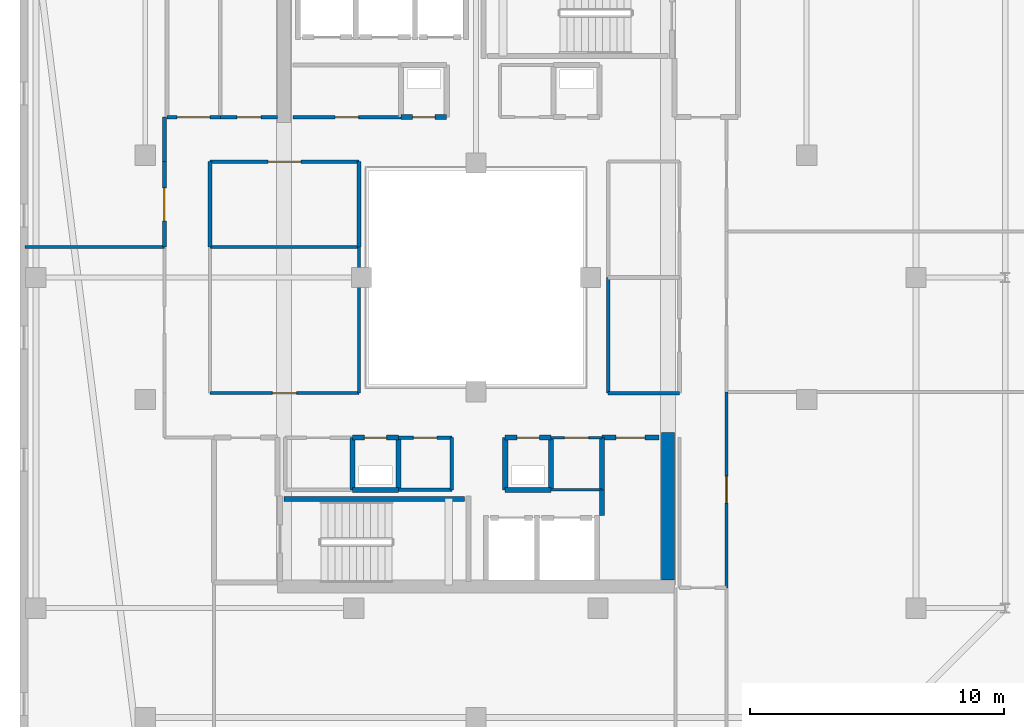
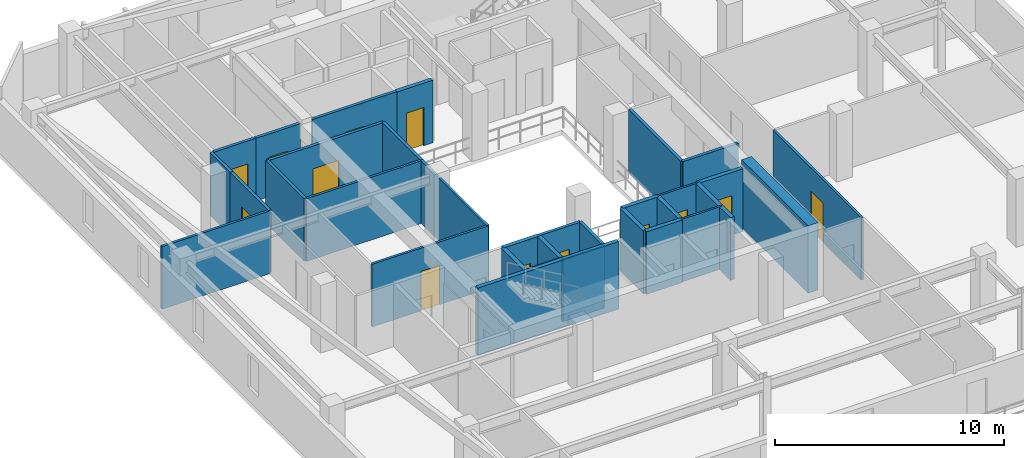
# One storey, part 22 of 35: 34 walls, 13 doors, 13 openings.
"""IFC4 building model written with IfcOpenShell, lengths in metres."""

from ifc_helpers import new_model, si_unit, direction, frame, frame_2d, origin, place, context, subcontext, project, spatial, rectangle, extrude, material, layer, layer_set, type_object, element, fill, save


model = new_model("IFC4")

# Units and contexts
model_context = context("Model", 3, precision=1e-05, world=origin(), true_north=direction((0.0, 1.0)))
body_context = subcontext(model_context, "Body", "Model", "MODEL_VIEW")
ifc_project = project(units=[si_unit("LENGTHUNIT", "METRE"), si_unit("AREAUNIT", "SQUARE_METRE"), si_unit("VOLUMEUNIT", "CUBIC_METRE"), si_unit("PLANEANGLEUNIT", "RADIAN"), si_unit("MASSUNIT", "GRAM", prefix="KILO")], contexts=[model_context])

# Site, building, storey
site_placement = place(None, origin())
site = spatial("IfcSite", under=ifc_project, at=site_placement, CompositionType="ELEMENT")
building_placement = place(site_placement, origin())
building = spatial("IfcBuilding", under=site, at=building_placement, Name="Thornwick Lancets Civic Towers", CompositionType="ELEMENT")
storey_placement = place(building_placement, frame((0.0, 0.0, 265.5)))
storey = spatial("IfcBuildingStorey", under=building, at=storey_placement, Name="L71", CompositionType="ELEMENT", Elevation=265.5)

# Walls
ifc_material_1 = material(Name="Concrete blockwork C40/50", Category="masonry")
ifc_layer_1 = layer(ifc_material_1, 0.199951171875, Name="Concrete blockwork C40/50")
ifc_layer_set_1 = layer_set([ifc_layer_1], Name="Concrete blockwork C40/50")
wall_type_1 = type_object("IfcWallType", Name="WALL_COMP_200", PredefinedType="STANDARD", material=ifc_layer_set_1)
wall_1_placement = place(storey_placement, frame((26.64990234375, 18.64990234375, 0.0), z_axis=(0.0, 0.0, 1.0), x_axis=(1.0, 0.0, 0.0)))
element("IfcWall", 1, at=wall_1_placement, inside=storey, type_object=wall_type_1, Name="L71 Partition L71-A-DUCT1 E1", PredefinedType="STANDARD", context=body_context, shape_type="SweptSolid", body=[
    extrude(rectangle(XDim=1.800048828125, YDim=0.199951171875, at=frame_2d((0.89990234375, 0.0))), origin(), (0.0, 0.0, 1.0), 3.340087890625),
])
wall_2_placement = place(storey_placement, frame((28.449951171875, 18.64990234375, 0.0), z_axis=(0.0, 0.0, 1.0), x_axis=(0.0, 1.0, 0.0)))
element("IfcWall", 2, at=wall_2_placement, inside=storey, type_object=wall_type_1, Name="L71 Partition L71-A-DUCT1 E2", PredefinedType="STANDARD", context=body_context, shape_type="SweptSolid", body=[
    extrude(rectangle(XDim=2.050048828125, YDim=0.199951171875, at=frame_2d((1.02490234375, 0.0))), origin(), (0.0, 0.0, 1.0), 3.340087890625),
])

# Wall, opening, door
wall_3_placement = place(storey_placement, frame((28.449951171875, 20.699951171875, 0.0), z_axis=(0.0, 0.0, 1.0), x_axis=(-1.0, 0.0, 0.0)))
wall_3 = element("IfcWall", 3, at=wall_3_placement, inside=storey, type_object=wall_type_1, Name="L71 Partition L71-A-DUCT1 E3", PredefinedType="STANDARD", context=body_context, shape_type="SweptSolid", body=[
    extrude(rectangle(XDim=1.800048828125, YDim=0.199951171875, at=frame_2d((0.89990234375, 0.0))), origin(), (0.0, 0.0, 1.0), 3.340087890625),
])
opening_1_placement = place(wall_3_placement, frame((0.4599609375, 0.0, 0.0)))
opening_1 = element("IfcOpeningElement", 4, at=opening_1_placement, cuts=wall_3, Name="Opening D-L71-3227", PredefinedType="OPENING", context=body_context, shape_type="SweptSolid", body=[
    extrude(rectangle(XDim=0.8798828125, YDim=2.0400390625, at=frame_2d((0.43994140625, 1.02001953125))), frame((0.0, 0.10986328125, 0.0), z_axis=(0.0, -1.0, 0.0), x_axis=(1.0, 0.0, 0.0)), (0.0, 0.0, 1.0), 0.219970703125),
])
ifc_material_2 = material(Name="Steel riser access doorset", Category="steel")
door_type_1 = type_object("IfcDoorType", Name="DOOR_RISER_850", OperationType="NOTDEFINED", PredefinedType="DOOR", material=ifc_material_2)
door_1_placement = place(opening_1_placement, origin())
door_1 = element("IfcDoor", 5, at=door_1_placement, inside=storey, type_object=door_type_1, Name="L71 South Service Duct 1 Door", OperationType="SINGLE_SWING_RIGHT", OverallHeight=2.0400390625, OverallWidth=0.8798828125, PredefinedType="DOOR", context=body_context, shape_type="SweptSolid", body=[
    extrude(rectangle(XDim=0.8798828125, YDim=2.0400390625, at=frame_2d((0.43994140625, 1.02001953125))), frame((0.0, 0.02490234375, 0.0), z_axis=(0.0, -1.0, 0.0), x_axis=(1.0, 0.0, 0.0)), (0.0, 0.0, 1.0), 0.050048828125),
])
fill(opening_1, door_1)

# Walls
wall_4_placement = place(storey_placement, frame((26.64990234375, 20.699951171875, 0.0), z_axis=(0.0, 0.0, 1.0), x_axis=(0.0, -1.0, 0.0)))
element("IfcWall", 6, at=wall_4_placement, inside=storey, type_object=wall_type_1, Name="L71 Partition L71-A-DUCT1 E4", PredefinedType="STANDARD", context=body_context, shape_type="SweptSolid", body=[
    extrude(rectangle(XDim=2.050048828125, YDim=0.199951171875, at=frame_2d((1.02490234375, 0.0))), origin(), (0.0, 0.0, 1.0), 3.340087890625),
])
wall_5_placement = place(storey_placement, frame((20.64990234375, 18.64990234375, 0.0), z_axis=(0.0, 0.0, 1.0), x_axis=(1.0, 0.0, 0.0)))
element("IfcWall", 7, at=wall_5_placement, inside=storey, type_object=wall_type_1, Name="L71 Partition L71-A-RISER1 E1", PredefinedType="STANDARD", context=body_context, shape_type="SweptSolid", body=[
    extrude(rectangle(XDim=1.800048828125, YDim=0.199951171875, at=frame_2d((0.89990234375, 0.0))), origin(), (0.0, 0.0, 1.0), 3.340087890625),
])
wall_6_placement = place(storey_placement, frame((22.449951171875, 18.64990234375, 0.0), z_axis=(0.0, 0.0, 1.0), x_axis=(0.0, 1.0, 0.0)))
element("IfcWall", 8, at=wall_6_placement, inside=storey, type_object=wall_type_1, Name="L71 Partition L71-A-RISER1 E2", PredefinedType="STANDARD", context=body_context, shape_type="SweptSolid", body=[
    extrude(rectangle(XDim=2.050048828125, YDim=0.199951171875, at=frame_2d((1.02490234375, 0.0))), origin(), (0.0, 0.0, 1.0), 3.340087890625),
])

# Wall, opening, door
wall_7_placement = place(storey_placement, frame((22.449951171875, 20.699951171875, 0.0), z_axis=(0.0, 0.0, 1.0), x_axis=(-1.0, 0.0, 0.0)))
wall_7 = element("IfcWall", 9, at=wall_7_placement, inside=storey, type_object=wall_type_1, Name="L71 Partition L71-A-RISER1 E3", PredefinedType="STANDARD", context=body_context, shape_type="SweptSolid", body=[
    extrude(rectangle(XDim=1.800048828125, YDim=0.199951171875, at=frame_2d((0.89990234375, 0.0))), origin(), (0.0, 0.0, 1.0), 3.340087890625),
])
opening_2_placement = place(wall_7_placement, frame((0.4599609375, 0.0, 0.0)))
opening_2 = element("IfcOpeningElement", 10, at=opening_2_placement, cuts=wall_7, Name="Opening D-L71-3228", PredefinedType="OPENING", context=body_context, shape_type="SweptSolid", body=[
    extrude(rectangle(XDim=0.8798828125, YDim=2.0400390625, at=frame_2d((0.43994140625, 1.02001953125))), frame((0.0, 0.10986328125, 0.0), z_axis=(0.0, -1.0, 0.0), x_axis=(1.0, 0.0, 0.0)), (0.0, 0.0, 1.0), 0.219970703125),
])
door_2_placement = place(opening_2_placement, origin())
door_2 = element("IfcDoor", 11, at=door_2_placement, inside=storey, type_object=door_type_1, Name="L71 South Electrical Riser 1 Door", OperationType="SINGLE_SWING_LEFT", OverallHeight=2.0400390625, OverallWidth=0.8798828125, PredefinedType="DOOR", context=body_context, shape_type="SweptSolid", body=[
    extrude(rectangle(XDim=0.8798828125, YDim=2.0400390625, at=frame_2d((0.43994140625, 1.02001953125))), frame((0.0, 0.02490234375, 0.0), z_axis=(0.0, -1.0, 0.0), x_axis=(1.0, 0.0, 0.0)), (0.0, 0.0, 1.0), 0.050048828125),
])
fill(opening_2, door_2)

# Wall
wall_8_placement = place(storey_placement, frame((20.64990234375, 20.699951171875, 0.0), z_axis=(0.0, 0.0, 1.0), x_axis=(0.0, -1.0, 0.0)))
element("IfcWall", 12, at=wall_8_placement, inside=storey, type_object=wall_type_1, Name="L71 Partition L71-A-RISER1 E4", PredefinedType="STANDARD", context=body_context, shape_type="SweptSolid", body=[
    extrude(rectangle(XDim=2.050048828125, YDim=0.199951171875, at=frame_2d((1.02490234375, 0.0))), origin(), (0.0, 0.0, 1.0), 3.340087890625),
])

# Wall, opening, door
wall_9_placement = place(storey_placement, frame((22.550048828125, 33.300048828125, 0.0), z_axis=(0.0, 0.0, 1.0), x_axis=(1.0, 0.0, 0.0)))
wall_9 = element("IfcWall", 13, at=wall_9_placement, inside=storey, type_object=wall_type_1, Name="L71 Partition L71-A-DUCT2 E1", PredefinedType="STANDARD", context=body_context, shape_type="SweptSolid", body=[
    extrude(rectangle(XDim=1.800048828125, YDim=0.199951171875, at=frame_2d((0.89990234375, 0.0))), origin(), (0.0, 0.0, 1.0), 3.340087890625),
])
opening_3_placement = place(wall_9_placement, frame((0.4599609375, 0.0, 0.0)))
opening_3 = element("IfcOpeningElement", 14, at=opening_3_placement, cuts=wall_9, Name="Opening D-L71-3229", PredefinedType="OPENING", context=body_context, shape_type="SweptSolid", body=[
    extrude(rectangle(XDim=0.8798828125, YDim=2.0400390625, at=frame_2d((0.43994140625, 1.02001953125))), frame((0.0, 0.10986328125, 0.0), z_axis=(0.0, -1.0, 0.0), x_axis=(1.0, 0.0, 0.0)), (0.0, 0.0, 1.0), 0.219970703125),
])
door_3_placement = place(opening_3_placement, origin())
door_3 = element("IfcDoor", 15, at=door_3_placement, inside=storey, type_object=door_type_1, Name="L71 North Service Duct 2 Door", OperationType="SINGLE_SWING_RIGHT", OverallHeight=2.0400390625, OverallWidth=0.8798828125, PredefinedType="DOOR", context=body_context, shape_type="SweptSolid", body=[
    extrude(rectangle(XDim=0.8798828125, YDim=2.0400390625, at=frame_2d((0.43994140625, 1.02001953125))), frame((0.0, 0.02490234375, 0.0), z_axis=(0.0, -1.0, 0.0), x_axis=(1.0, 0.0, 0.0)), (0.0, 0.0, 1.0), 0.050048828125),
])
fill(opening_3, door_3)

# Walls
wall_10_placement = place(storey_placement, frame((30.449951171875, 17.64794921875, 0.0), z_axis=(0.0, 0.0, 1.0), x_axis=(0.0, 1.0, 0.0)))
element("IfcWall", 16, at=wall_10_placement, inside=storey, type_object=wall_type_1, Name="L71 Partition L71-A-ITR2 E3", PredefinedType="STANDARD", context=body_context, shape_type="SweptSolid", body=[
    extrude(rectangle(XDim=1.001953125, YDim=0.199951171875, at=frame_2d((0.5009765625, 0.0))), origin(), (0.0, 0.0, 1.0), 3.340087890625),
])
wall_11_placement = place(storey_placement, frame((30.449951171875, 18.64990234375, 0.0), z_axis=(0.0, 0.0, 1.0), x_axis=(0.0, 1.0, 0.0)))
element("IfcWall", 17, at=wall_11_placement, inside=storey, type_object=wall_type_1, Name="L71 Partition L71-A-ITR2 E4", PredefinedType="STANDARD", context=body_context, shape_type="SweptSolid", body=[
    extrude(rectangle(XDim=2.050048828125, YDim=0.199951171875, at=frame_2d((1.02490234375, 0.0))), origin(), (0.0, 0.0, 1.0), 3.340087890625),
])

# Wall, opening, door
wall_12_placement = place(storey_placement, frame((30.449951171875, 20.699951171875, 0.0), z_axis=(0.0, 0.0, 1.0), x_axis=(1.0, 0.0, 0.0)))
wall_12 = element("IfcWall", 18, at=wall_12_placement, inside=storey, type_object=wall_type_1, Name="L71 Partition L71-A-ITR2 E5", PredefinedType="STANDARD", context=body_context, shape_type="SweptSolid", body=[
    extrude(rectangle(XDim=2.25, YDim=0.199951171875, at=frame_2d((1.125, 0.0))), origin(), (0.0, 0.0, 1.0), 3.340087890625),
])
opening_4_placement = place(wall_12_placement, frame((0.550048828125, 0.0, 0.0)))
opening_4 = element("IfcOpeningElement", 19, at=opening_4_placement, cuts=wall_12, Name="Opening D-L71-3234", PredefinedType="OPENING", context=body_context, shape_type="SweptSolid", body=[
    extrude(rectangle(XDim=1.14990234375, YDim=2.10009765625, at=frame_2d((0.574951171875, 1.050048828125))), frame((0.0, 0.10986328125, 0.0), z_axis=(0.0, -1.0, 0.0), x_axis=(1.0, 0.0, 0.0)), (0.0, 0.0, 1.0), 0.219970703125),
])
ifc_material_3 = material(Name="Glazed fire-resisting steel", Category="steel")
door_type_2 = type_object("IfcDoorType", Name="DOOR_LOBBY_FD60", OperationType="NOTDEFINED", PredefinedType="DOOR", material=ifc_material_3)
door_4_placement = place(opening_4_placement, origin())
door_4 = element("IfcDoor", 20, at=door_4_placement, inside=storey, type_object=door_type_2, Name="L71 Tower A Statutory Core Archive Door", OperationType="SINGLE_SWING_LEFT", OverallHeight=2.10009765625, OverallWidth=1.14990234375, PredefinedType="DOOR", context=body_context, shape_type="SweptSolid", body=[
    extrude(rectangle(XDim=1.14990234375, YDim=2.10009765625, at=frame_2d((0.574951171875, 1.050048828125))), frame((0.0, 0.02490234375, 0.0), z_axis=(0.0, -1.0, 0.0), x_axis=(1.0, 0.0, 0.0)), (0.0, 0.0, 1.0), 0.050048828125),
])
fill(opening_4, door_4)

# Walls
ifc_material_4 = material(Name="Concrete C50/60", Category="concrete")
ifc_layer_2 = layer(ifc_material_4, 0.5, Name="Concrete C50/60")
ifc_layer_set_2 = layer_set([ifc_layer_2], Name="Concrete C50/60")
wall_type_2 = type_object("IfcWallType", Name="WALL_CORE_500", PredefinedType="SHEAR", material=ifc_layer_set_2)
wall_13_placement = place(storey_placement, frame((33.050048828125, 15.10009765625, 0.0), z_axis=(0.0, 0.0, 1.0), x_axis=(0.0, 1.0, 0.0)))
element("IfcWall", 21, at=wall_13_placement, inside=storey, type_object=wall_type_2, Name="L71 Split Core A1 Shear Wall E", PredefinedType="SHEAR", context=body_context, shape_type="SweptSolid", body=[
    extrude(rectangle(XDim=5.7998046875, YDim=0.5, at=frame_2d((2.89990234375, 0.0))), origin(), (0.0, 0.0, 1.0), 3.60009765625),
])
ifc_material_5 = material(Name="Lightweight cellular office partition")
ifc_layer_3 = layer(ifc_material_5, 0.10009765625, Name="Lightweight cellular office partition")
ifc_layer_set_3 = layer_set([ifc_layer_3], Name="Lightweight cellular office partition")
wall_type_3 = type_object("IfcWallType", Name="WALL_PART_100", PredefinedType="PARTITIONING", material=ifc_layer_set_3)
wall_14_placement = place(storey_placement, frame((30.449951171875, 18.64990234375, 0.0), z_axis=(0.0, 0.0, 1.0), x_axis=(-1.0, 0.0, 0.0)))
element("IfcWall", 22, at=wall_14_placement, inside=storey, type_object=wall_type_3, Name="L71 Partition L71-A-CLN E2", PredefinedType="PARTITIONING", context=body_context, shape_type="SweptSolid", body=[
    extrude(rectangle(XDim=2.0, YDim=0.10009765625, at=frame_2d((1.0, 0.0))), origin(), (0.0, 0.0, 1.0), 3.340087890625),
])

# Wall, opening, door
wall_15_placement = place(storey_placement, frame((28.449951171875, 20.699951171875, 0.0), z_axis=(0.0, 0.0, 1.0), x_axis=(1.0, 0.0, 0.0)))
wall_15 = element("IfcWall", 23, at=wall_15_placement, inside=storey, type_object=wall_type_3, Name="L71 Partition L71-A-CLN E4", PredefinedType="PARTITIONING", context=body_context, shape_type="SweptSolid", body=[
    extrude(rectangle(XDim=2.0, YDim=0.10009765625, at=frame_2d((1.0, 0.0))), origin(), (0.0, 0.0, 1.0), 3.340087890625),
])
opening_5_placement = place(wall_15_placement, frame((0.52490234375, 0.0, 0.0)))
opening_5 = element("IfcOpeningElement", 24, at=opening_5_placement, cuts=wall_15, Name="Opening D-L71-3233", PredefinedType="OPENING", context=body_context, shape_type="SweptSolid", body=[
    extrude(rectangle(XDim=0.949951171875, YDim=2.10009765625, at=frame_2d((0.47509765625, 1.050048828125))), frame((0.0, 0.06005859375, 0.0), z_axis=(0.0, -1.0, 0.0), x_axis=(1.0, 0.0, 0.0)), (0.0, 0.0, 1.0), 0.1201171875),
])
ifc_material_6 = material(Name="European oak acoustic doorset")
door_type_3 = type_object("IfcDoorType", Name="DOOR_OFFICE_950", OperationType="NOTDEFINED", PredefinedType="DOOR", material=ifc_material_6)
door_5_placement = place(opening_5_placement, origin())
door_5 = element("IfcDoor", 25, at=door_5_placement, inside=storey, type_object=door_type_3, Name="L71 Tower A Cleaners Store Door", OperationType="SINGLE_SWING_RIGHT", OverallHeight=2.10009765625, OverallWidth=0.949951171875, PredefinedType="DOOR", context=body_context, shape_type="SweptSolid", body=[
    extrude(rectangle(XDim=0.949951171875, YDim=2.10009765625, at=frame_2d((0.47509765625, 1.050048828125))), frame((0.0, 0.02490234375, 0.0), z_axis=(0.0, -1.0, 0.0), x_axis=(1.0, 0.0, 0.0)), (0.0, 0.0, 1.0), 0.050048828125),
])
fill(opening_5, door_5)

# Walls
ifc_material_7 = material(Name="Acoustic gypsum board partition")
ifc_layer_4 = layer(ifc_material_7, 0.1201171875, Name="Acoustic gypsum board partition")
ifc_layer_set_4 = layer_set([ifc_layer_4], Name="Acoustic gypsum board partition")
wall_type_4 = type_object("IfcWallType", Name="WALL_PART_120", PredefinedType="PARTITIONING", material=ifc_layer_set_4)
wall_16_placement = place(storey_placement, frame((7.780029296875, 28.199951171875, 0.0), z_axis=(0.0, 0.0, 1.0), x_axis=(1.0, 0.0, 0.0)))
element("IfcWall", 26, at=wall_16_placement, inside=storey, type_object=wall_type_4, Name="L71 Partition L71-A-W1 E9", PredefinedType="PARTITIONING", context=body_context, shape_type="SweptSolid", body=[
    extrude(rectangle(XDim=5.469970703125, YDim=0.1201171875, at=frame_2d((2.73486328125, 0.0))), origin(), (0.0, 0.0, 1.0), 3.340087890625),
])
wall_17_placement = place(storey_placement, frame((15.050048828125, 28.199951171875, 0.0), z_axis=(0.0, 0.0, 1.0), x_axis=(1.0, 0.0, 0.0)))
element("IfcWall", 27, at=wall_17_placement, inside=storey, type_object=wall_type_4, Name="L71 Partition L71-A-W3 E2", PredefinedType="PARTITIONING", context=body_context, shape_type="SweptSolid", body=[
    extrude(rectangle(XDim=5.849853515625, YDim=0.1201171875, at=frame_2d((2.9248046875, 0.0))), origin(), (0.0, 0.0, 1.0), 3.340087890625),
])
wall_18_placement = place(storey_placement, frame((20.89990234375, 28.199951171875, 0.0), z_axis=(0.0, 0.0, 1.0), x_axis=(0.0, -1.0, 0.0)))
element("IfcWall", 28, at=wall_18_placement, inside=storey, type_object=wall_type_4, Name="L71 Partition L71-A-W3 E3", PredefinedType="PARTITIONING", context=body_context, shape_type="SweptSolid", body=[
    extrude(rectangle(XDim=5.75, YDim=0.1201171875, at=frame_2d((2.875, 0.0))), origin(), (0.0, 0.0, 1.0), 3.340087890625),
])

# Wall, opening, door
wall_19_placement = place(storey_placement, frame((20.89990234375, 22.449951171875, 0.0), z_axis=(0.0, 0.0, 1.0), x_axis=(-1.0, 0.0, 0.0)))
wall_19 = element("IfcWall", 29, at=wall_19_placement, inside=storey, type_object=wall_type_4, Name="L71 Partition L71-A-W3 E4", PredefinedType="PARTITIONING", context=body_context, shape_type="SweptSolid", body=[
    extrude(rectangle(XDim=5.849853515625, YDim=0.1201171875, at=frame_2d((2.9248046875, 0.0))), origin(), (0.0, 0.0, 1.0), 3.340087890625),
])
opening_6_placement = place(wall_19_placement, frame((2.449951171875, 0.0, 0.0)))
opening_6 = element("IfcOpeningElement", 30, at=opening_6_placement, cuts=wall_19, Name="Opening D-L71-3254", PredefinedType="OPENING", context=body_context, shape_type="SweptSolid", body=[
    extrude(rectangle(XDim=0.949951171875, YDim=2.10009765625, at=frame_2d((0.47509765625, 1.050048828125))), frame((0.0, 0.070068359375, 0.0), z_axis=(0.0, -1.0, 0.0), x_axis=(1.0, 0.0, 0.0)), (0.0, 0.0, 1.0), 0.14013671875),
])
door_6_placement = place(opening_6_placement, origin())
door_6 = element("IfcDoor", 31, at=door_6_placement, inside=storey, type_object=door_type_3, Name="L71 Tower A Staff Tea Pantry and Lounge Door", OperationType="SINGLE_SWING_LEFT", OverallHeight=2.10009765625, OverallWidth=0.949951171875, PredefinedType="DOOR", context=body_context, shape_type="SweptSolid", body=[
    extrude(rectangle(XDim=0.949951171875, YDim=2.10009765625, at=frame_2d((0.47509765625, 1.050048828125))), frame((0.0, 0.02490234375, 0.0), z_axis=(0.0, -1.0, 0.0), x_axis=(1.0, 0.0, 0.0)), (0.0, 0.0, 1.0), 0.050048828125),
])
fill(opening_6, door_6)

wall_20_placement = place(storey_placement, frame((35.35009765625, 14.800048828125, 0.0), z_axis=(0.0, 0.0, 1.0), x_axis=(0.0, 1.0, 0.0)))
wall_20 = element("IfcWall", 32, at=wall_20_placement, inside=storey, type_object=wall_type_4, Name="L71 Partition L71-A-E1 E3", PredefinedType="PARTITIONING", context=body_context, shape_type="SweptSolid", body=[
    extrude(rectangle(XDim=7.699951171875, YDim=0.1201171875, at=frame_2d((3.85009765625, 0.0))), origin(), (0.0, 0.0, 1.0), 3.340087890625),
])
opening_7_placement = place(wall_20_placement, frame((3.324951171875, 0.0, 0.0)))
opening_7 = element("IfcOpeningElement", 33, at=opening_7_placement, cuts=wall_20, Name="Opening D-L71-3256", PredefinedType="OPENING", context=body_context, shape_type="SweptSolid", body=[
    extrude(rectangle(XDim=1.050048828125, YDim=2.10009765625, at=frame_2d((0.52490234375, 1.050048828125))), frame((0.0, 0.070068359375, 0.0), z_axis=(0.0, -1.0, 0.0), x_axis=(1.0, 0.0, 0.0)), (0.0, 0.0, 1.0), 0.14013671875),
])
ifc_material_8 = material(Name="Glazed European oak executive doorset")
door_type_4 = type_object("IfcDoorType", Name="DOOR_OFFICE_1050", OperationType="NOTDEFINED", PredefinedType="DOOR", material=ifc_material_8)
door_7_placement = place(opening_7_placement, origin())
door_7 = element("IfcDoor", 34, at=door_7_placement, inside=storey, type_object=door_type_4, Name="L71 Tower A Secretariat Open Office E1 Door", OperationType="SINGLE_SWING_LEFT", OverallHeight=2.10009765625, OverallWidth=1.050048828125, PredefinedType="DOOR", context=body_context, shape_type="SweptSolid", body=[
    extrude(rectangle(XDim=1.050048828125, YDim=2.10009765625, at=frame_2d((0.52490234375, 1.050048828125))), frame((0.0, 0.02490234375, 0.0), z_axis=(0.0, -1.0, 0.0), x_axis=(1.0, 0.0, 0.0)), (0.0, 0.0, 1.0), 0.050048828125),
])
fill(opening_7, door_7)

# Walls
ifc_material_9 = material(Name="Twin-stud acoustic gypsum board")
ifc_layer_5 = layer(ifc_material_9, 0.14990234375, Name="Twin-stud acoustic gypsum board")
ifc_layer_set_5 = layer_set([ifc_layer_5], Name="Twin-stud acoustic gypsum board")
wall_type_5 = type_object("IfcWallType", Name="WALL_PART_150", PredefinedType="PARTITIONING", material=ifc_layer_set_5)
wall_21_placement = place(storey_placement, frame((24.550048828125, 20.699951171875, 0.0), z_axis=(0.0, 0.0, 1.0), x_axis=(0.0, -1.0, 0.0)))
element("IfcWall", 35, at=wall_21_placement, inside=storey, type_object=wall_type_5, Name="L71 Partition L71-A-AWC E1", PredefinedType="PARTITIONING", context=body_context, shape_type="SweptSolid", body=[
    extrude(rectangle(XDim=2.050048828125, YDim=0.14990234375, at=frame_2d((1.02490234375, 0.0))), origin(), (0.0, 0.0, 1.0), 3.340087890625),
])
wall_22_placement = place(storey_placement, frame((24.550048828125, 18.64990234375, 0.0), z_axis=(0.0, 0.0, 1.0), x_axis=(-1.0, 0.0, 0.0)))
element("IfcWall", 36, at=wall_22_placement, inside=storey, type_object=wall_type_5, Name="L71 Partition L71-A-AWC E2", PredefinedType="PARTITIONING", context=body_context, shape_type="SweptSolid", body=[
    extrude(rectangle(XDim=2.10009765625, YDim=0.14990234375, at=frame_2d((1.050048828125, 0.0))), origin(), (0.0, 0.0, 1.0), 3.340087890625),
])

# Wall, opening, door
wall_23_placement = place(storey_placement, frame((22.449951171875, 20.699951171875, 0.0), z_axis=(0.0, 0.0, 1.0), x_axis=(1.0, 0.0, 0.0)))
wall_23 = element("IfcWall", 37, at=wall_23_placement, inside=storey, type_object=wall_type_5, Name="L71 Partition L71-A-AWC E4", PredefinedType="PARTITIONING", context=body_context, shape_type="SweptSolid", body=[
    extrude(rectangle(XDim=2.10009765625, YDim=0.14990234375, at=frame_2d((1.050048828125, 0.0))), origin(), (0.0, 0.0, 1.0), 3.340087890625),
])
opening_8_placement = place(wall_23_placement, frame((0.590087890625, 0.0, 0.0)))
opening_8 = element("IfcOpeningElement", 38, at=opening_8_placement, cuts=wall_23, Name="Opening D-L71-3232", PredefinedType="OPENING", context=body_context, shape_type="SweptSolid", body=[
    extrude(rectangle(XDim=0.919921875, YDim=2.080078125, at=frame_2d((0.4599609375, 1.0400390625))), frame((0.0, 0.0849609375, 0.0), z_axis=(0.0, -1.0, 0.0), x_axis=(1.0, 0.0, 0.0)), (0.0, 0.0, 1.0), 0.169921875),
])
ifc_material_10 = material(Name="Moisture-resistant oak doorset")
door_type_5 = type_object("IfcDoorType", Name="DOOR_WC_900", OperationType="NOTDEFINED", PredefinedType="DOOR", material=ifc_material_10)
door_8_placement = place(opening_8_placement, origin())
door_8 = element("IfcDoor", 39, at=door_8_placement, inside=storey, type_object=door_type_5, Name="L71 Tower A Accessible WC Door", OperationType="SINGLE_SWING_LEFT", OverallHeight=2.080078125, OverallWidth=0.919921875, PredefinedType="DOOR", context=body_context, shape_type="SweptSolid", body=[
    extrude(rectangle(XDim=0.919921875, YDim=2.080078125, at=frame_2d((0.4599609375, 1.0400390625))), frame((0.0, 0.02490234375, 0.0), z_axis=(0.0, -1.0, 0.0), x_axis=(1.0, 0.0, 0.0)), (0.0, 0.0, 1.0), 0.050048828125),
])
fill(opening_8, door_8)

wall_24_placement = place(storey_placement, frame((22.550048828125, 33.300048828125, 0.0), z_axis=(0.0, 0.0, 1.0), x_axis=(-1.0, 0.0, 0.0)))
wall_24 = element("IfcWall", 40, at=wall_24_placement, inside=storey, type_object=wall_type_5, Name="L71 Partition L71-A-FWC E4", PredefinedType="PARTITIONING", context=body_context, shape_type="SweptSolid", body=[
    extrude(rectangle(XDim=4.25, YDim=0.14990234375, at=frame_2d((2.125, 0.0))), origin(), (0.0, 0.0, 1.0), 3.340087890625),
])
opening_9_placement = place(wall_24_placement, frame((1.6650390625, 0.0, 0.0)))
opening_9 = element("IfcOpeningElement", 41, at=opening_9_placement, cuts=wall_24, Name="Opening D-L71-3235", PredefinedType="OPENING", context=body_context, shape_type="SweptSolid", body=[
    extrude(rectangle(XDim=0.919921875, YDim=2.080078125, at=frame_2d((0.4599609375, 1.0400390625))), frame((0.0, 0.0849609375, 0.0), z_axis=(0.0, -1.0, 0.0), x_axis=(1.0, 0.0, 0.0)), (0.0, 0.0, 1.0), 0.169921875),
])
door_9_placement = place(opening_9_placement, origin())
door_9 = element("IfcDoor", 42, at=door_9_placement, inside=storey, type_object=door_type_5, Name="L71 Tower A Female WC Door", OperationType="SINGLE_SWING_RIGHT", OverallHeight=2.080078125, OverallWidth=0.919921875, PredefinedType="DOOR", context=body_context, shape_type="SweptSolid", body=[
    extrude(rectangle(XDim=0.919921875, YDim=2.080078125, at=frame_2d((0.4599609375, 1.0400390625))), frame((0.0, 0.02490234375, 0.0), z_axis=(0.0, -1.0, 0.0), x_axis=(1.0, 0.0, 0.0)), (0.0, 0.0, 1.0), 0.050048828125),
])
fill(opening_9, door_9)

wall_25_placement = place(storey_placement, frame((15.449951171875, 33.300048828125, 0.0), z_axis=(0.0, 0.0, 1.0), x_axis=(-1.0, 0.0, 0.0)))
wall_25 = element("IfcWall", 43, at=wall_25_placement, inside=storey, type_object=wall_type_5, Name="L71 Partition L71-A-RECLAIM-M1 E4", PredefinedType="PARTITIONING", context=body_context, shape_type="SweptSolid", body=[
    extrude(rectangle(XDim=2.099853515625, YDim=0.14990234375, at=frame_2d((1.0498046875, 0.0))), origin(), (0.0, 0.0, 1.0), 3.340087890625),
])
opening_10_placement = place(wall_25_placement, frame((0.39990234375, 0.0, 0.0)))
opening_10 = element("IfcOpeningElement", 44, at=opening_10_placement, cuts=wall_25, Name="Opening D-L71-3250", PredefinedType="OPENING", context=body_context, shape_type="SweptSolid", body=[
    extrude(rectangle(XDim=1.300048828125, YDim=2.1201171875, at=frame_2d((0.64990234375, 1.06005859375))), frame((0.0, 0.0849609375, 0.0), z_axis=(0.0, -1.0, 0.0), x_axis=(1.0, 0.0, 0.0)), (0.0, 0.0, 1.0), 0.169921875),
])
ifc_material_11 = material(Name="Acoustic oak leaf-and-a-half doorset")
door_type_6 = type_object("IfcDoorType", Name="DOOR_MEET_1300", OperationType="DOUBLE_DOOR_SINGLE_SWING", PredefinedType="DOOR", material=ifc_material_11)
door_10_placement = place(opening_10_placement, origin())
door_10 = element("IfcDoor", 45, at=door_10_placement, inside=storey, type_object=door_type_6, Name="L71 Tower A Diplomatic Conference Room Door", OperationType="DOUBLE_DOOR_SINGLE_SWING", OverallHeight=2.1201171875, OverallWidth=1.300048828125, PredefinedType="DOOR", context=body_context, shape_type="SweptSolid", body=[
    extrude(rectangle(XDim=1.300048828125, YDim=2.1201171875, at=frame_2d((0.64990234375, 1.06005859375))), frame((0.0, 0.02490234375, 0.0), z_axis=(0.0, -1.0, 0.0), x_axis=(1.0, 0.0, 0.0)), (0.0, 0.0, 1.0), 0.050048828125),
])
fill(opening_10, door_10)

wall_26_placement = place(storey_placement, frame((17.699951171875, 33.300048828125, 0.0), z_axis=(0.0, 0.0, 1.0), x_axis=(-1.0, 0.0, 0.0)))
wall_26 = element("IfcWall", 46, at=wall_26_placement, inside=storey, type_object=wall_type_5, Name="L71 Partition L71-A-RECLAIM-M2 E4", PredefinedType="PARTITIONING", context=body_context, shape_type="SweptSolid", body=[
    extrude(rectangle(XDim=2.25, YDim=0.14990234375, at=frame_2d((1.125, 0.0))), origin(), (0.0, 0.0, 1.0), 3.340087890625),
])
opening_11_placement = place(wall_26_placement, frame((0.64990234375, 0.0, 0.0)))
opening_11 = element("IfcOpeningElement", 47, at=opening_11_placement, cuts=wall_26, Name="Opening D-L71-3251", PredefinedType="OPENING", context=body_context, shape_type="SweptSolid", body=[
    extrude(rectangle(XDim=0.949951171875, YDim=2.10009765625, at=frame_2d((0.47509765625, 1.050048828125))), frame((0.0, 0.0849609375, 0.0), z_axis=(0.0, -1.0, 0.0), x_axis=(1.0, 0.0, 0.0)), (0.0, 0.0, 1.0), 0.169921875),
])
door_11_placement = place(opening_11_placement, origin())
door_11 = element("IfcDoor", 48, at=door_11_placement, inside=storey, type_object=door_type_3, Name="L71 Tower A Executive Records Archive Door", OperationType="SINGLE_SWING_RIGHT", OverallHeight=2.10009765625, OverallWidth=0.949951171875, PredefinedType="DOOR", context=body_context, shape_type="SweptSolid", body=[
    extrude(rectangle(XDim=0.949951171875, YDim=2.10009765625, at=frame_2d((0.47509765625, 1.050048828125))), frame((0.0, 0.02490234375, 0.0), z_axis=(0.0, -1.0, 0.0), x_axis=(1.0, 0.0, 0.0)), (0.0, 0.0, 1.0), 0.050048828125),
])
fill(opening_11, door_11)

# Wall
wall_27_placement = place(storey_placement, frame((13.25, 33.300048828125, 0.0), z_axis=(0.0, 0.0, 1.0), x_axis=(0.0, -1.0, 0.0)))
element("IfcWall", 49, at=wall_27_placement, inside=storey, type_object=wall_type_5, Name="L71 Partition L71-A-W2 E5", PredefinedType="PARTITIONING", context=body_context, shape_type="SweptSolid", body=[
    extrude(rectangle(XDim=1.75, YDim=0.14990234375, at=frame_2d((0.875, 0.0))), origin(), (0.0, 0.0, 1.0), 3.340087890625),
])

# Wall, opening, door
wall_28_placement = place(storey_placement, frame((13.25, 31.550048828125, 0.0), z_axis=(0.0, 0.0, 1.0), x_axis=(0.0, -1.0, 0.0)))
wall_28 = element("IfcWall", 50, at=wall_28_placement, inside=storey, type_object=wall_type_5, Name="L71 Partition L71-A-W2 E6", PredefinedType="PARTITIONING", context=body_context, shape_type="SweptSolid", body=[
    extrude(rectangle(XDim=3.35009765625, YDim=0.14990234375, at=frame_2d((1.675048828125, 0.0))), origin(), (0.0, 0.0, 1.0), 3.340087890625),
])
opening_12_placement = place(wall_28_placement, frame((1.02490234375, 0.0, 0.0)))
opening_12 = element("IfcOpeningElement", 51, at=opening_12_placement, cuts=wall_28, Name="Opening D-L71-3253", PredefinedType="OPENING", context=body_context, shape_type="SweptSolid", body=[
    extrude(rectangle(XDim=1.300048828125, YDim=2.1201171875, at=frame_2d((0.64990234375, 1.06005859375))), frame((0.0, 0.0849609375, 0.0), z_axis=(0.0, -1.0, 0.0), x_axis=(1.0, 0.0, 0.0)), (0.0, 0.0, 1.0), 0.169921875),
])
door_12_placement = place(opening_12_placement, origin())
door_12 = element("IfcDoor", 52, at=door_12_placement, inside=storey, type_object=door_type_6, Name="L71 Tower A Policy Briefing Room W2 Door", OperationType="DOUBLE_DOOR_SINGLE_SWING", OverallHeight=2.1201171875, OverallWidth=1.300048828125, PredefinedType="DOOR", context=body_context, shape_type="SweptSolid", body=[
    extrude(rectangle(XDim=1.300048828125, YDim=2.1201171875, at=frame_2d((0.64990234375, 1.06005859375))), frame((0.0, 0.02490234375, 0.0), z_axis=(0.0, -1.0, 0.0), x_axis=(1.0, 0.0, 0.0)), (0.0, 0.0, 1.0), 0.050048828125),
])
fill(opening_12, door_12)

# Wall
wall_29_placement = place(storey_placement, frame((15.050048828125, 28.199951171875, 0.0), z_axis=(0.0, 0.0, 1.0), x_axis=(0.0, 1.0, 0.0)))
element("IfcWall", 53, at=wall_29_placement, inside=storey, type_object=wall_type_5, Name="L71 Partition L71-A-W4 E1", PredefinedType="PARTITIONING", context=body_context, shape_type="SweptSolid", body=[
    extrude(rectangle(XDim=3.35009765625, YDim=0.14990234375, at=frame_2d((1.675048828125, 0.0))), origin(), (0.0, 0.0, 1.0), 3.340087890625),
])

# Wall, opening, door
wall_30_placement = place(storey_placement, frame((15.050048828125, 31.550048828125, 0.0), z_axis=(0.0, 0.0, 1.0), x_axis=(1.0, 0.0, 0.0)))
wall_30 = element("IfcWall", 54, at=wall_30_placement, inside=storey, type_object=wall_type_5, Name="L71 Partition L71-A-W4 E2", PredefinedType="PARTITIONING", context=body_context, shape_type="SweptSolid", body=[
    extrude(rectangle(XDim=5.849853515625, YDim=0.14990234375, at=frame_2d((2.9248046875, 0.0))), origin(), (0.0, 0.0, 1.0), 3.340087890625),
])
opening_13_placement = place(wall_30_placement, frame((2.27490234375, 0.0, 0.0)))
opening_13 = element("IfcOpeningElement", 55, at=opening_13_placement, cuts=wall_30, Name="Opening D-L71-3255", PredefinedType="OPENING", context=body_context, shape_type="SweptSolid", body=[
    extrude(rectangle(XDim=1.300048828125, YDim=2.1201171875, at=frame_2d((0.64990234375, 1.06005859375))), frame((0.0, 0.0849609375, 0.0), z_axis=(0.0, -1.0, 0.0), x_axis=(1.0, 0.0, 0.0)), (0.0, 0.0, 1.0), 0.169921875),
])
door_13_placement = place(opening_13_placement, origin())
door_13 = element("IfcDoor", 56, at=door_13_placement, inside=storey, type_object=door_type_6, Name="L71 Tower A West Briefing Room W4 Door", OperationType="DOUBLE_DOOR_SINGLE_SWING", OverallHeight=2.1201171875, OverallWidth=1.300048828125, PredefinedType="DOOR", context=body_context, shape_type="SweptSolid", body=[
    extrude(rectangle(XDim=1.300048828125, YDim=2.1201171875, at=frame_2d((0.64990234375, 1.06005859375))), frame((0.0, 0.02490234375, 0.0), z_axis=(0.0, -1.0, 0.0), x_axis=(1.0, 0.0, 0.0)), (0.0, 0.0, 1.0), 0.050048828125),
])
fill(opening_13, door_13)

# Walls
wall_31_placement = place(storey_placement, frame((20.89990234375, 31.550048828125, 0.0), z_axis=(0.0, 0.0, 1.0), x_axis=(0.0, -1.0, 0.0)))
element("IfcWall", 57, at=wall_31_placement, inside=storey, type_object=wall_type_5, Name="L71 Partition L71-A-W4 E3", PredefinedType="PARTITIONING", context=body_context, shape_type="SweptSolid", body=[
    extrude(rectangle(XDim=3.35009765625, YDim=0.14990234375, at=frame_2d((1.675048828125, 0.0))), origin(), (0.0, 0.0, 1.0), 3.340087890625),
])
wall_32_placement = place(storey_placement, frame((30.699951171875, 22.449951171875, 0.0), z_axis=(0.0, 0.0, 1.0), x_axis=(0.0, 1.0, 0.0)))
element("IfcWall", 58, at=wall_32_placement, inside=storey, type_object=wall_type_5, Name="L71 Partition L71-A-E-ATR-1 E1", PredefinedType="PARTITIONING", context=body_context, shape_type="SweptSolid", body=[
    extrude(rectangle(XDim=4.550048828125, YDim=0.14990234375, at=frame_2d((2.27490234375, 0.0))), origin(), (0.0, 0.0, 1.0), 3.340087890625),
])
wall_33_placement = place(storey_placement, frame((33.5, 22.449951171875, 0.0), z_axis=(0.0, 0.0, 1.0), x_axis=(-1.0, 0.0, 0.0)))
element("IfcWall", 59, at=wall_33_placement, inside=storey, type_object=wall_type_5, Name="L71 Partition L71-A-E-ATR-1 E4", PredefinedType="PARTITIONING", context=body_context, shape_type="SweptSolid", body=[
    extrude(rectangle(XDim=2.800048828125, YDim=0.14990234375, at=frame_2d((1.39990234375, 0.0))), origin(), (0.0, 0.0, 1.0), 3.340087890625),
])
ifc_material_12 = material(Name="Concrete C40/50", Category="concrete")
ifc_layer_6 = layer(ifc_material_12, 0.199951171875, Name="Concrete C40/50")
ifc_layer_set_6 = layer_set([ifc_layer_6], Name="Concrete C40/50")
wall_type_6 = type_object("IfcWallType", Name="WALL_SHAFT_200", PredefinedType="SHEAR", material=ifc_layer_set_6)
wall_34_placement = place(storey_placement, frame((25.050048828125, 18.297119140625, 0.0), z_axis=(0.0, 0.0, 1.0), x_axis=(-1.0, 0.0, 0.0)))
element("IfcWall", 60, at=wall_34_placement, inside=storey, type_object=wall_type_6, Name="L71 ST-A1 Fire Stair Core Wall RIGHT", PredefinedType="SHEAR", context=body_context, shape_type="SweptSolid", body=[
    extrude(rectangle(XDim=7.10009765625, YDim=0.199951171875, at=frame_2d((3.550048828125, 0.0))), origin(), (0.0, 0.0, 1.0), 3.60009765625),
])

save(model, "model.ifc")
